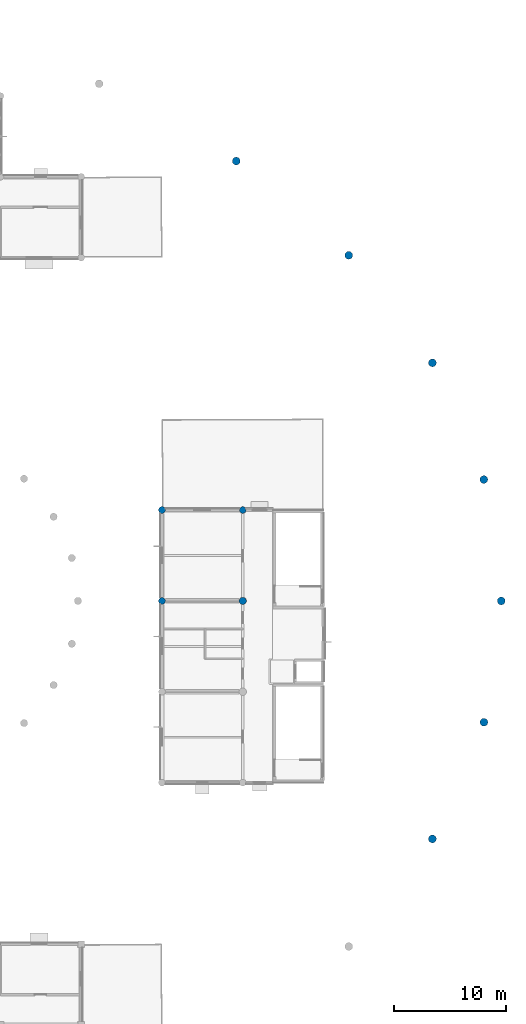
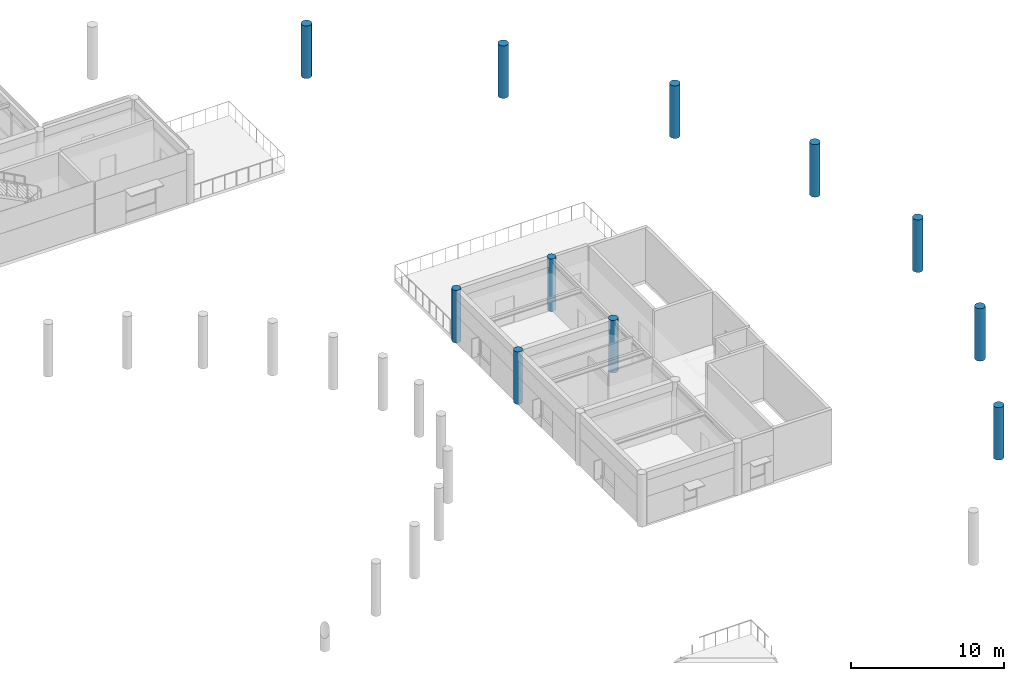
# One storey, part 2 of 55: 11 columns.
"""IFC4 building model written with IfcOpenShell, lengths in metres."""

from ifc_helpers import new_model, si_unit, direction, frame, origin, origin_2d, place, context, subcontext, project, spatial, circle, extrude, material, material_profile, profile_set, type_object, element, save


model = new_model("IFC4")

# Units and contexts
model_context = context("Model", 3, precision=1e-05, world=origin(), true_north=direction((0.0, 1.0)))
body_context = subcontext(model_context, "Body", "Model", "MODEL_VIEW")
ifc_project = project(units=[si_unit("LENGTHUNIT", "METRE"), si_unit("AREAUNIT", "SQUARE_METRE"), si_unit("VOLUMEUNIT", "CUBIC_METRE"), si_unit("PLANEANGLEUNIT", "RADIAN"), si_unit("MASSUNIT", "GRAM", prefix="KILO")], contexts=[model_context])

# Site, building, storey
site_placement = place(None, origin())
site = spatial("IfcSite", under=ifc_project, at=site_placement, CompositionType="ELEMENT")
building_placement = place(site_placement, origin())
building = spatial("IfcBuilding", under=site, at=building_placement, Name="Namkhue Oval Health Centre", CompositionType="ELEMENT")
storey_placement = place(building_placement, frame((0.0, 0.0, 9.60009765625)))
storey = spatial("IfcBuildingStorey", under=building, at=storey_placement, Name="L02", CompositionType="ELEMENT", Elevation=9.60009765625)

# Columns
ifc_material = material(Name="Reinforced concrete C35/45 (TCVN B40)", Category="concrete")
ifc_material_profile_1 = material_profile(ifc_material, circle(Radius=0.300048828125, at=origin_2d()), Name="RC D600")
ifc_profile_set_1 = profile_set([ifc_material_profile_1], Name="Reinforced concrete C35/45 (TCVN B40)")
column_type_1 = type_object("IfcColumnType", Name="RC COLUMN D600 EXT", PredefinedType="COLUMN", material=ifc_profile_set_1)
for number, where, z_axis, x_axis, name in (
    (1, (136.800048828125, 59.39990234375, 0.0), (0.0, 0.0, 1.0), (1.0, 0.0, 0.0), "Volume V6 L02 Column 20/J"),
    (2, (136.800048828125, 67.5, 0.0), (0.0, 0.0, 1.0), (1.0, 0.0, 0.0), "Volume V6 L02 Column 20/K"),
    (3, (144.0, 67.5, 0.0), (0.0, 0.0, 1.0), (1.0, 0.0, 0.0), "Volume V6 L02 Column 21/K"),
):
    element("IfcColumn", number, at=place(storey_placement, frame(where, z_axis=z_axis, x_axis=x_axis)), inside=storey, type_object=column_type_1, Name=name, PredefinedType="COLUMN", context=body_context, shape_type="SweptSolid", body=[
        extrude(circle(Radius=0.300048828125, at=origin_2d()), origin(), (0.0, 0.0, 1.0), 4.199951171875),
    ])
ifc_material_profile_2 = material_profile(ifc_material, circle(Radius=0.324951171875, at=origin_2d()), Name="RC D650")
ifc_profile_set_2 = profile_set([ifc_material_profile_2], Name="Reinforced concrete C35/45 (TCVN B40)")
column_type_2 = type_object("IfcColumnType", Name="RC COLUMN D650 INT", PredefinedType="COLUMN", material=ifc_profile_set_2)
column_placement = place(storey_placement, frame((144.0, 59.39990234375, 0.0), z_axis=(0.0, 0.0, 1.0), x_axis=(1.0, 0.0, 0.0)))
element("IfcColumn", 4, at=column_placement, inside=storey, type_object=column_type_2, Name="Volume V6 L02 Column 21/J", PredefinedType="COLUMN", context=body_context, shape_type="SweptSolid", body=[
    extrude(circle(Radius=0.324951171875, at=origin_2d()), origin(), (0.0, 0.0, 1.0), 4.199951171875),
])
ifc_material_profile_3 = material_profile(ifc_material, circle(Radius=0.35009765625, at=origin_2d()), Name="RC D700")
ifc_profile_set_3 = profile_set([ifc_material_profile_3], Name="Reinforced concrete C35/45 (TCVN B40)")
column_type_3 = type_object("IfcColumnType", Name="RC COLUMN D700 EXT", PredefinedType="COLUMN", material=ifc_profile_set_3)
for number, where, z_axis, x_axis, name in (
    (5, (167.0400390625, 59.39990234375, 0.0), (0.0, 0.0, 1.0), (1.0, 0.0, 0.0), "Gridshell OR Colonnade Column 1 L02"),
    (6, (165.490478515625, 70.2158203125, 0.0), (0.0, 0.0, 1.0), (1.0, 0.0, 0.0), "Gridshell OR Colonnade Column 2 L02"),
    (7, (160.901611328125, 80.615966796875, 0.0), (0.0, 0.0, 1.0), (1.0, 0.0, 0.0), "Gridshell OR Colonnade Column 3 L02"),
    (8, (153.44970703125, 90.200927734375, 0.0), (0.0, 0.0, 1.0), (1.0, 0.0, 0.0), "Gridshell OR Colonnade Column 4 L02"),
    (9, (143.421142578125, 98.60205078125, 0.0), (0.0, 0.0, 1.0), (1.0, 0.0, 0.0), "Gridshell OR Colonnade Column 5 L02"),
    (10, (160.901611328125, 38.18408203125, 0.0), (0.0, 0.0, 1.0), (1.0, 0.0, 0.0), "Gridshell OR Colonnade Column 31 L02"),
    (11, (165.490478515625, 48.584228515625, 0.0), (0.0, 0.0, 1.0), (1.0, 0.0, 0.0), "Gridshell OR Colonnade Column 32 L02"),
):
    element("IfcColumn", number, at=place(storey_placement, frame(where, z_axis=z_axis, x_axis=x_axis)), inside=storey, type_object=column_type_3, Name=name, PredefinedType="COLUMN", context=body_context, shape_type="SweptSolid", body=[
        extrude(circle(Radius=0.35009765625, at=origin_2d()), origin(), (0.0, 0.0, 1.0), 4.199951171875),
    ])

save(model, "model.ifc")
